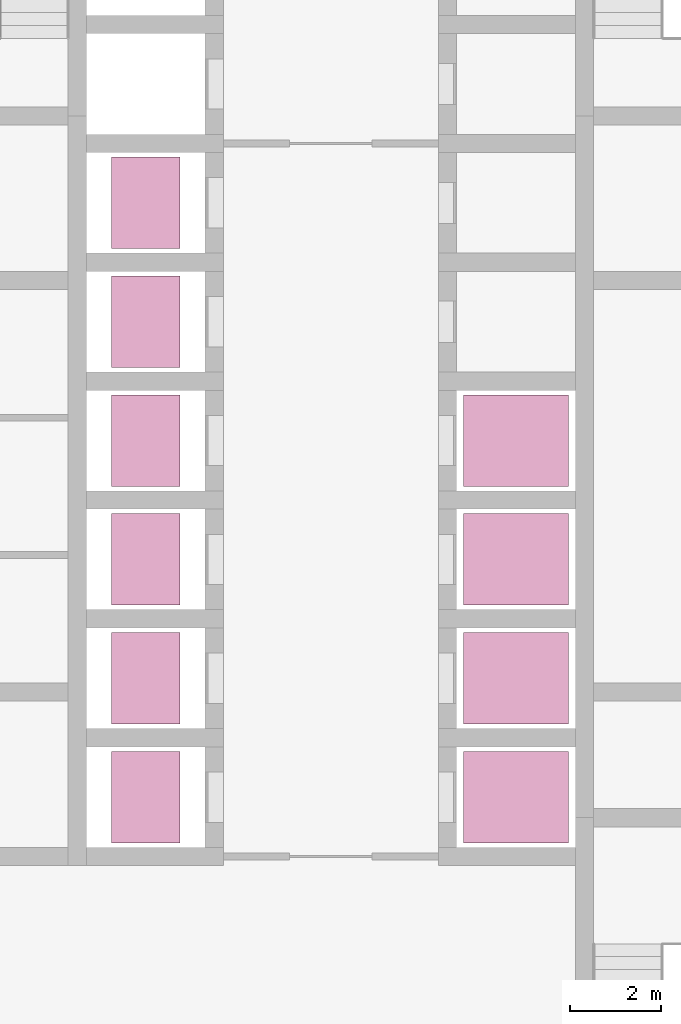
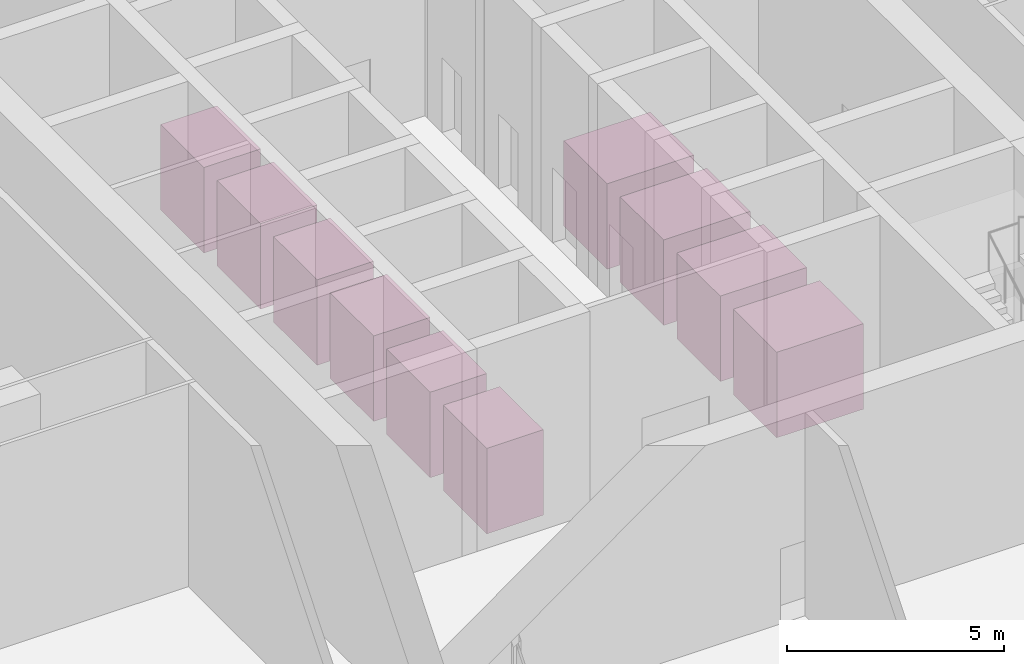
# One storey, part 32 of 32: 10 transport elements.
"""IFC4 building model written with IfcOpenShell, lengths in metres."""

import ifcopenshell
import ifcopenshell.guid

model = None  # the IFC model being written
_history = None  # IfcOwnerHistory: only IFC2X3 demands one
_inside = {}  # id of a spatial element -> (the spatial element, [elements in it])
_under = {}  # id of a project, library or spatial element -> (it, [spatial elements below it])
_declared = {}  # id of a project -> (the project, [libraries it declares])
_typed = {}  # id of a type object -> (the type object, [elements of that type])
_made_of = {}  # id of a material, layer set ... -> (it, [elements and type objects made of it])


def new_model(schema):
    """Start an empty IFC model of exactly this schema.

    Asked for "IFC4X3", IfcOpenShell would pick the latest addendum, in which some entities
    have other attributes; the version numbers below select the first issue.
    IFC2X3 requires an IfcOwnerHistory on every rooted entity: one is made here for all.
    """
    global model, _history
    if schema == "IFC4X3":
        model = ifcopenshell.file(schema_version=(4, 3, 0, 0))
    else:
        model = ifcopenshell.file(schema=schema)
    _inside.clear()
    _under.clear()
    _declared.clear()
    _typed.clear()
    _made_of.clear()
    _history = None
    if model.schema == "IFC2X3":
        org = make("IfcOrganization", Name="unknown")
        user = make(
            "IfcPersonAndOrganization",
            ThePerson=make("IfcPerson", FamilyName="unknown"),
            TheOrganization=org,
        )
        app = make(
            "IfcApplication",
            ApplicationDeveloper=org,
            Version="unknown",
            ApplicationFullName="unknown",
            ApplicationIdentifier="unknown",
        )
        _history = make(
            "IfcOwnerHistory",
            OwningUser=user,
            OwningApplication=app,
            ChangeAction="ADDED",
            CreationDate=0,
        )
    return model


def make(cls, **values):
    """One entity of the class cls with the attributes given. An attribute that is None is left unset."""
    return model.create_entity(
        cls, **{name: value for name, value in values.items() if value is not None}
    )


def rooted(cls, **values):
    """An entity with a GlobalId (a new one), such as an element, a storey or a relation."""
    return make(cls, GlobalId=ifcopenshell.guid.new(), OwnerHistory=_history, **values)


def si_unit(unit_type, name, prefix=None):
    """IfcSIUnit, for example si_unit("LENGTHUNIT", "METRE", prefix="MILLI")."""
    return make("IfcSIUnit", UnitType=unit_type, Prefix=prefix, Name=name)


def assignment(units):
    """IfcUnitAssignment: the units of a project."""
    return None if units is None else make("IfcUnitAssignment", Units=units)


def point(xyz):
    """IfcCartesianPoint."""
    return None if xyz is None else make("IfcCartesianPoint", Coordinates=xyz)


def direction(xyz):
    """IfcDirection."""
    return None if xyz is None else make("IfcDirection", DirectionRatios=xyz)


def frame(location, z_axis=None, x_axis=None):
    """IfcAxis2Placement3D, a coordinate frame: its origin and axes. An axis left out is left unset."""
    return make(
        "IfcAxis2Placement3D",
        Location=point(location),
        Axis=direction(z_axis),
        RefDirection=direction(x_axis),
    )


def frame_2d(location, x_axis=None):
    """IfcAxis2Placement2D, a coordinate frame in the plane: its origin and x axis."""
    return make(
        "IfcAxis2Placement2D", Location=point(location), RefDirection=direction(x_axis)
    )


def origin():
    """The frame at (0, 0, 0) with its axes left unset."""
    return frame((0.0, 0.0, 0.0))


def origin_2d():
    """The frame at (0, 0) in the plane with its x axis left unset."""
    return frame_2d((0.0, 0.0))


def place(relative_to, where):
    """IfcLocalPlacement: puts the frame where relative to a parent placement (None: the world)."""
    return make(
        "IfcLocalPlacement", PlacementRelTo=relative_to, RelativePlacement=where
    )


def context(
    kind, dimensions, precision=None, world=None, true_north=None, identifier=None
):
    """IfcGeometricRepresentationContext, for example the 3D "Model" context."""
    return make(
        "IfcGeometricRepresentationContext",
        ContextIdentifier=identifier,
        ContextType=kind,
        CoordinateSpaceDimension=dimensions,
        Precision=precision,
        WorldCoordinateSystem=world,
        TrueNorth=true_north,
    )


def subcontext(parent, identifier, kind, view, scale=None):
    """IfcGeometricRepresentationSubContext, for example "Body" below "Model"."""
    return make(
        "IfcGeometricRepresentationSubContext",
        ContextIdentifier=identifier,
        ContextType=kind,
        ParentContext=parent,
        TargetScale=scale,
        TargetView=view,
    )


def project(units=None, contexts=None):
    """IfcProject with its units and contexts."""
    return rooted(
        "IfcProject",
        Name="project",
        RepresentationContexts=contexts,
        UnitsInContext=assignment(units),
    )


def spatial(cls, under=None, at=None, **own):
    """A site, building, storey or space (cls), placed at a placement, below another one or the project."""
    s = rooted(cls, ObjectPlacement=at, **own)
    if under is not None:
        _under.setdefault(under.id(), (under, []))[1].append(s)
    return s


def profile(cls, at=None, kind="AREA", **sizes):
    """A parametric profile (cls). Its sizes go by their IFC names, for example OverallWidth=200.0."""
    return make(cls, ProfileType=kind, Position=at, **sizes)


def rectangle(**sizes):
    """IfcRectangleProfileDef."""
    return profile("IfcRectangleProfileDef", **sizes)


def extrude(swept, where, along, depth):
    """IfcExtrudedAreaSolid: the profile swept, set in the frame where, extruded along a direction by depth."""
    return make(
        "IfcExtrudedAreaSolid",
        SweptArea=swept,
        Position=where,
        ExtrudedDirection=direction(along),
        Depth=depth,
    )


def shape(context_of_items, identifier, shape_type, items):
    """IfcShapeRepresentation: the items that make up one representation, for example the "Body"."""
    return make(
        "IfcShapeRepresentation",
        ContextOfItems=context_of_items,
        RepresentationIdentifier=identifier,
        RepresentationType=shape_type,
        Items=items,
    )


def material(Name=None, Category=None):
    """IfcMaterial."""
    return make("IfcMaterial", Name=Name, Category=Category)


def made_of(thing, what):
    """Note that an element or type object is made of a material, layer set ...; save() writes the relation."""
    if what is not None:
        _made_of.setdefault(what.id(), (what, []))[1].append(thing)
    return thing


def type_object(cls, material=None, **own):
    """A type object (cls), such as IfcWallType, which elements share."""
    return made_of(rooted(cls, **own), material)


def element(
    cls,
    number,
    at=None,
    inside=None,
    cuts=None,
    type_object=None,
    material=None,
    context=None,
    identifier="Body",
    shape_type=None,
    held_by="IfcProductDefinitionShape",
    body=None,
    shapes=None,
    **own,
):
    """One element of the class cls, such as IfcWall. Its Tag is "e" and its number.

    at: its placement. inside: the storey or other place that contains it. cuts: it is an
    opening in that element (IfcRelVoidsElement). A single representation is given by context,
    identifier, shape_type and body (its items); several are given by shapes. held_by: the class
    of the entity that holds the representations. save() writes the other relations.
    """
    e = rooted(cls, Tag="e%d" % number, ObjectPlacement=at, **own)
    if body is not None:
        shapes = [shape(context, identifier, shape_type, body)]
    if shapes is not None:
        e.Representation = make(held_by, Representations=shapes)
    if inside is not None:
        _inside.setdefault(inside.id(), (inside, []))[1].append(e)
    if cuts is not None:
        rooted(
            "IfcRelVoidsElement", RelatingBuildingElement=cuts, RelatedOpeningElement=e
        )
    if type_object is not None:
        _typed.setdefault(type_object.id(), (type_object, []))[1].append(e)
    return made_of(e, material)


def aggregate(whole, parts):
    """IfcRelAggregates: a whole, such as a stair, and the parts it consists of."""
    return rooted("IfcRelAggregates", RelatingObject=whole, RelatedObjects=parts)


def save(model, path):
    """Write the relations noted so far, then the file.

    IfcRelAggregates (storeys below a building ...), IfcRelContainedInSpatialStructure (elements
    in a storey), IfcRelDefinesByType, IfcRelAssociatesMaterial and IfcRelDeclares: one each for
    every whole, place, type object, material and project.
    """
    for whole, parts in _under.values():
        aggregate(whole, parts)
    for where, things in _inside.values():
        rooted(
            "IfcRelContainedInSpatialStructure",
            RelatedElements=things,
            RelatingStructure=where,
        )
    for kind, things in _typed.values():
        rooted("IfcRelDefinesByType", RelatedObjects=things, RelatingType=kind)
    for what, things in _made_of.values():
        rooted("IfcRelAssociatesMaterial", RelatedObjects=things, RelatingMaterial=what)
    for by, libraries in _declared.values():
        rooted("IfcRelDeclares", RelatingContext=by, RelatedDefinitions=libraries)
    model.write(path)


model = new_model("IFC4")

# Units and contexts
model_context = context("Model", 3, precision=1e-05, world=origin(), true_north=direction((0.0, 1.0)))
body_context = subcontext(model_context, "Body", "Model", "MODEL_VIEW")
ifc_project = project(units=[si_unit("LENGTHUNIT", "METRE"), si_unit("AREAUNIT", "SQUARE_METRE"), si_unit("VOLUMEUNIT", "CUBIC_METRE"), si_unit("PLANEANGLEUNIT", "RADIAN"), si_unit("MASSUNIT", "GRAM", prefix="KILO")], contexts=[model_context])

# Site, building, storey
site_placement = place(None, origin())
site = spatial("IfcSite", under=ifc_project, at=site_placement, CompositionType="ELEMENT")
building_placement = place(site_placement, origin())
building = spatial("IfcBuilding", under=site, at=building_placement, Name="Ludao Terraces", CompositionType="ELEMENT")
storey_placement = place(building_placement, origin())
storey = spatial("IfcBuildingStorey", under=building, at=storey_placement, Name="L00", CompositionType="ELEMENT", Elevation=0.0)

# Transport elements
ifc_material = material(Name="Stainless steel 304", Category="steel")
transport_element_type = type_object("IfcTransportElementType", Name="INT Passenger lift car", PredefinedType="ELEVATOR", material=ifc_material)
for number, where, z_axis, x_axis, name in (
    (1, (80.949951171875, 62.39990234375, 0.0), (0.0, 0.0, 1.0), (1.0, 0.0, 0.0), "LIFT LA1"),
    (2, (80.949951171875, 65.0, 0.0), (0.0, 0.0, 1.0), (1.0, 0.0, 0.0), "LIFT LA2"),
    (3, (80.949951171875, 67.60009765625, 0.0), (0.0, 0.0, 1.0), (1.0, 0.0, 0.0), "LIFT LA3"),
    (4, (80.949951171875, 70.199951171875, 0.0), (0.0, 0.0, 1.0), (1.0, 0.0, 0.0), "LIFT LA4"),
    (5, (80.949951171875, 72.800048828125, 0.0), (0.0, 0.0, 1.0), (1.0, 0.0, 0.0), "LIFT LA5"),
    (6, (80.949951171875, 75.39990234375, 0.0), (0.0, 0.0, 1.0), (1.0, 0.0, 0.0), "LIFT LA6"),
):
    element("IfcTransportElement", number, at=place(storey_placement, frame(where, z_axis=z_axis, x_axis=x_axis)), inside=storey, type_object=transport_element_type, Name=name, PredefinedType="ELEVATOR", context=body_context, shape_type="SweptSolid", body=[
        extrude(rectangle(XDim=1.5, YDim=2.0, at=origin_2d()), origin(), (0.0, 0.0, 1.0), 2.39990234375),
    ])
for number, where, z_axis, x_axis, name in (
    (7, (89.050048828125, 62.39990234375, 0.0), (0.0, 0.0, 1.0), (1.0, 0.0, 0.0), "LIFT SH1"),
    (8, (89.050048828125, 65.0, 0.0), (0.0, 0.0, 1.0), (1.0, 0.0, 0.0), "LIFT SH2"),
    (9, (89.050048828125, 67.60009765625, 0.0), (0.0, 0.0, 1.0), (1.0, 0.0, 0.0), "LIFT SH3"),
    (10, (89.050048828125, 70.199951171875, 0.0), (0.0, 0.0, 1.0), (1.0, 0.0, 0.0), "LIFT SH4"),
):
    element("IfcTransportElement", number, at=place(storey_placement, frame(where, z_axis=z_axis, x_axis=x_axis)), inside=storey, type_object=transport_element_type, Name=name, PredefinedType="ELEVATOR", context=body_context, shape_type="SweptSolid", body=[
        extrude(rectangle(XDim=2.300048828125, YDim=2.0, at=origin_2d()), origin(), (0.0, 0.0, 1.0), 2.39990234375),
    ])

save(model, "model.ifc")
